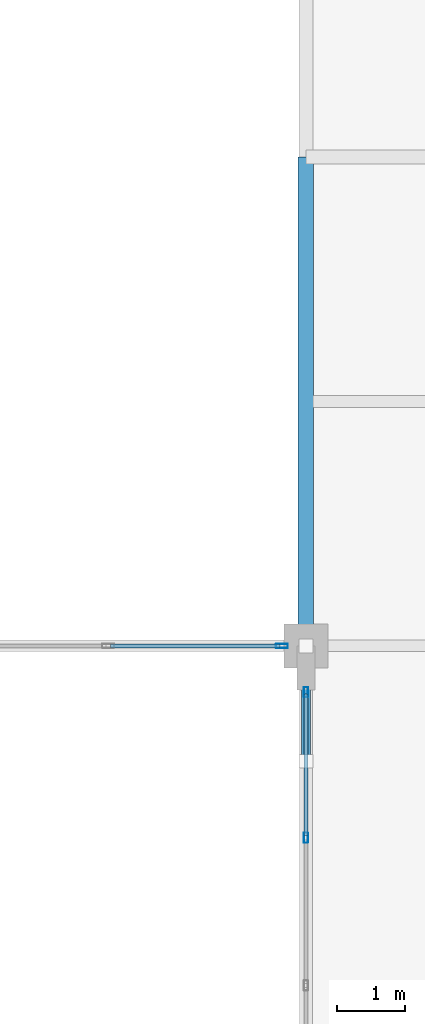
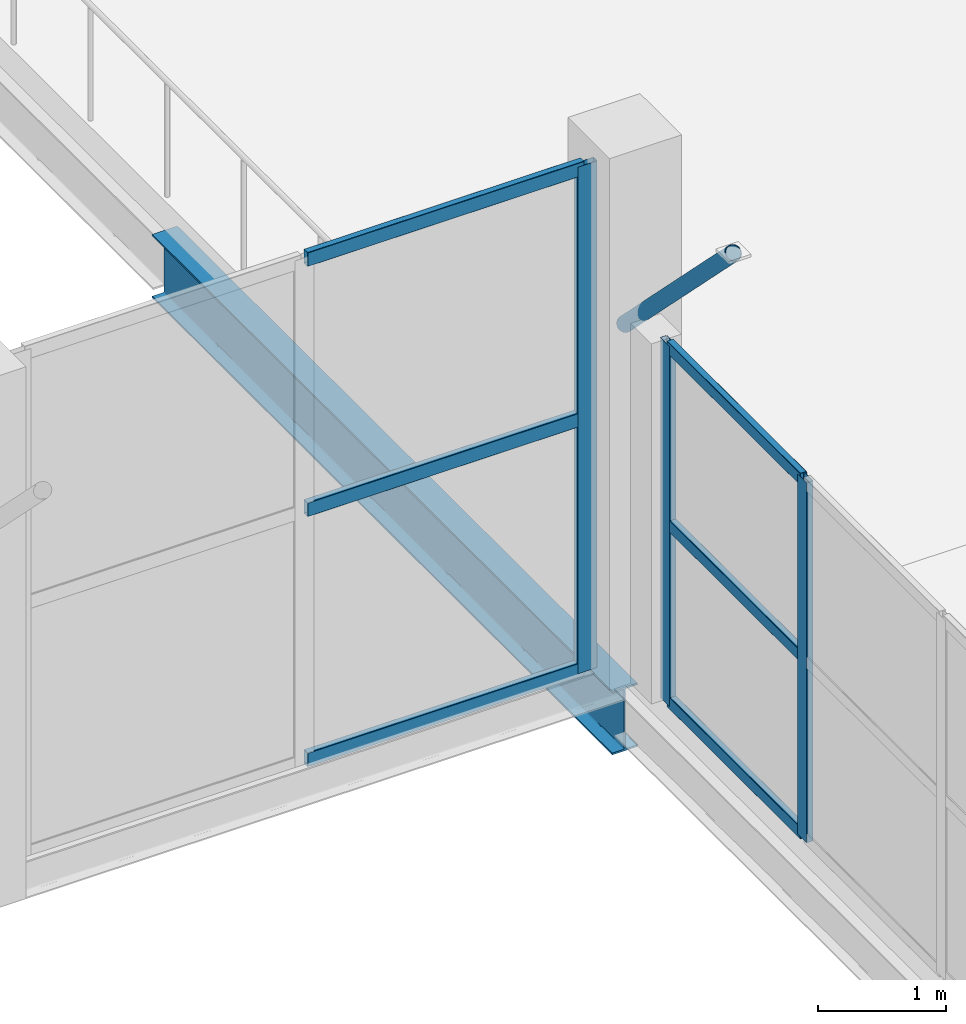
# One storey, part 30 of 127: 10 members, 1 beam, 2 elements without a shape of their own.
"""IFC4 building model written with IfcOpenShell, lengths in metres."""

import ifcopenshell
import ifcopenshell.guid

model = None  # the IFC model being written
_history = None  # IfcOwnerHistory: only IFC2X3 demands one
_inside = {}  # id of a spatial element -> (the spatial element, [elements in it])
_under = {}  # id of a project, library or spatial element -> (it, [spatial elements below it])
_declared = {}  # id of a project -> (the project, [libraries it declares])
_typed = {}  # id of a type object -> (the type object, [elements of that type])
_made_of = {}  # id of a material, layer set ... -> (it, [elements and type objects made of it])


def new_model(schema):
    """Start an empty IFC model of exactly this schema.

    Asked for "IFC4X3", IfcOpenShell would pick the latest addendum, in which some entities
    have other attributes; the version numbers below select the first issue.
    IFC2X3 requires an IfcOwnerHistory on every rooted entity: one is made here for all.
    """
    global model, _history
    if schema == "IFC4X3":
        model = ifcopenshell.file(schema_version=(4, 3, 0, 0))
    else:
        model = ifcopenshell.file(schema=schema)
    _inside.clear()
    _under.clear()
    _declared.clear()
    _typed.clear()
    _made_of.clear()
    _history = None
    if model.schema == "IFC2X3":
        org = make("IfcOrganization", Name="unknown")
        user = make(
            "IfcPersonAndOrganization",
            ThePerson=make("IfcPerson", FamilyName="unknown"),
            TheOrganization=org,
        )
        app = make(
            "IfcApplication",
            ApplicationDeveloper=org,
            Version="unknown",
            ApplicationFullName="unknown",
            ApplicationIdentifier="unknown",
        )
        _history = make(
            "IfcOwnerHistory",
            OwningUser=user,
            OwningApplication=app,
            ChangeAction="ADDED",
            CreationDate=0,
        )
    return model


def make(cls, **values):
    """One entity of the class cls with the attributes given. An attribute that is None is left unset."""
    return model.create_entity(
        cls, **{name: value for name, value in values.items() if value is not None}
    )


def rooted(cls, **values):
    """An entity with a GlobalId (a new one), such as an element, a storey or a relation."""
    return make(cls, GlobalId=ifcopenshell.guid.new(), OwnerHistory=_history, **values)


def si_unit(unit_type, name, prefix=None):
    """IfcSIUnit, for example si_unit("LENGTHUNIT", "METRE", prefix="MILLI")."""
    return make("IfcSIUnit", UnitType=unit_type, Prefix=prefix, Name=name)


def assignment(units):
    """IfcUnitAssignment: the units of a project."""
    return None if units is None else make("IfcUnitAssignment", Units=units)


def point(xyz):
    """IfcCartesianPoint."""
    return None if xyz is None else make("IfcCartesianPoint", Coordinates=xyz)


def direction(xyz):
    """IfcDirection."""
    return None if xyz is None else make("IfcDirection", DirectionRatios=xyz)


def frame(location, z_axis=None, x_axis=None):
    """IfcAxis2Placement3D, a coordinate frame: its origin and axes. An axis left out is left unset."""
    return make(
        "IfcAxis2Placement3D",
        Location=point(location),
        Axis=direction(z_axis),
        RefDirection=direction(x_axis),
    )


def frame_2d(location, x_axis=None):
    """IfcAxis2Placement2D, a coordinate frame in the plane: its origin and x axis."""
    return make(
        "IfcAxis2Placement2D", Location=point(location), RefDirection=direction(x_axis)
    )


def origin():
    """The frame at (0, 0, 0) with its axes left unset."""
    return frame((0.0, 0.0, 0.0))


def origin_2d():
    """The frame at (0, 0) in the plane with its x axis left unset."""
    return frame_2d((0.0, 0.0))


def place(relative_to, where):
    """IfcLocalPlacement: puts the frame where relative to a parent placement (None: the world)."""
    return make(
        "IfcLocalPlacement", PlacementRelTo=relative_to, RelativePlacement=where
    )


def context(
    kind, dimensions, precision=None, world=None, true_north=None, identifier=None
):
    """IfcGeometricRepresentationContext, for example the 3D "Model" context."""
    return make(
        "IfcGeometricRepresentationContext",
        ContextIdentifier=identifier,
        ContextType=kind,
        CoordinateSpaceDimension=dimensions,
        Precision=precision,
        WorldCoordinateSystem=world,
        TrueNorth=true_north,
    )


def subcontext(parent, identifier, kind, view, scale=None):
    """IfcGeometricRepresentationSubContext, for example "Body" below "Model"."""
    return make(
        "IfcGeometricRepresentationSubContext",
        ContextIdentifier=identifier,
        ContextType=kind,
        ParentContext=parent,
        TargetScale=scale,
        TargetView=view,
    )


def project(units=None, contexts=None):
    """IfcProject with its units and contexts."""
    return rooted(
        "IfcProject",
        Name="project",
        RepresentationContexts=contexts,
        UnitsInContext=assignment(units),
    )


def spatial(cls, under=None, at=None, **own):
    """A site, building, storey or space (cls), placed at a placement, below another one or the project."""
    s = rooted(cls, ObjectPlacement=at, **own)
    if under is not None:
        _under.setdefault(under.id(), (under, []))[1].append(s)
    return s


def profile(cls, at=None, kind="AREA", **sizes):
    """A parametric profile (cls). Its sizes go by their IFC names, for example OverallWidth=200.0."""
    return make(cls, ProfileType=kind, Position=at, **sizes)


def hollow_rectangle(**sizes):
    """IfcRectangleHollowProfileDef."""
    return profile("IfcRectangleHollowProfileDef", **sizes)


def hollow_circle(**sizes):
    """IfcCircleHollowProfileDef."""
    return profile("IfcCircleHollowProfileDef", **sizes)


def i_section(**sizes):
    """IfcIShapeProfileDef."""
    return profile("IfcIShapeProfileDef", **sizes)


def extrude(swept, where, along, depth):
    """IfcExtrudedAreaSolid: the profile swept, set in the frame where, extruded along a direction by depth."""
    return make(
        "IfcExtrudedAreaSolid",
        SweptArea=swept,
        Position=where,
        ExtrudedDirection=direction(along),
        Depth=depth,
    )


def shape(context_of_items, identifier, shape_type, items):
    """IfcShapeRepresentation: the items that make up one representation, for example the "Body"."""
    return make(
        "IfcShapeRepresentation",
        ContextOfItems=context_of_items,
        RepresentationIdentifier=identifier,
        RepresentationType=shape_type,
        Items=items,
    )


def material(Name=None, Category=None):
    """IfcMaterial."""
    return make("IfcMaterial", Name=Name, Category=Category)


def layer(
    of_material, thickness, ventilated=None, Name=None, Category=None, Priority=None
):
    """IfcMaterialLayer: one layer of a wall or slab, of a material (None: an air gap)."""
    return make(
        "IfcMaterialLayer",
        Material=of_material,
        LayerThickness=thickness,
        IsVentilated=ventilated,
        Name=Name,
        Category=Category,
        Priority=Priority,
    )


def layer_set(layers, Name=None):
    """IfcMaterialLayerSet."""
    return make("IfcMaterialLayerSet", MaterialLayers=layers, LayerSetName=Name)


def material_profile(
    of_material, cross_section, Name=None, Category=None, Priority=None
):
    """IfcMaterialProfile: a cross section and its material."""
    return make(
        "IfcMaterialProfile",
        Name=Name,
        Material=of_material,
        Profile=cross_section,
        Priority=Priority,
        Category=Category,
    )


def profile_set(profiles, Name=None, composite=None):
    """IfcMaterialProfileSet."""
    return make(
        "IfcMaterialProfileSet",
        Name=Name,
        MaterialProfiles=profiles,
        CompositeProfile=composite,
    )


def made_of(thing, what):
    """Note that an element or type object is made of a material, layer set ...; save() writes the relation."""
    if what is not None:
        _made_of.setdefault(what.id(), (what, []))[1].append(thing)
    return thing


def type_object(cls, material=None, **own):
    """A type object (cls), such as IfcWallType, which elements share."""
    return made_of(rooted(cls, **own), material)


def element(
    cls,
    number,
    at=None,
    inside=None,
    cuts=None,
    type_object=None,
    material=None,
    context=None,
    identifier="Body",
    shape_type=None,
    held_by="IfcProductDefinitionShape",
    body=None,
    shapes=None,
    **own,
):
    """One element of the class cls, such as IfcWall. Its Tag is "e" and its number.

    at: its placement. inside: the storey or other place that contains it. cuts: it is an
    opening in that element (IfcRelVoidsElement). A single representation is given by context,
    identifier, shape_type and body (its items); several are given by shapes. held_by: the class
    of the entity that holds the representations. save() writes the other relations.
    """
    e = rooted(cls, Tag="e%d" % number, ObjectPlacement=at, **own)
    if body is not None:
        shapes = [shape(context, identifier, shape_type, body)]
    if shapes is not None:
        e.Representation = make(held_by, Representations=shapes)
    if inside is not None:
        _inside.setdefault(inside.id(), (inside, []))[1].append(e)
    if cuts is not None:
        rooted(
            "IfcRelVoidsElement", RelatingBuildingElement=cuts, RelatedOpeningElement=e
        )
    if type_object is not None:
        _typed.setdefault(type_object.id(), (type_object, []))[1].append(e)
    return made_of(e, material)


def aggregate(whole, parts):
    """IfcRelAggregates: a whole, such as a stair, and the parts it consists of."""
    return rooted("IfcRelAggregates", RelatingObject=whole, RelatedObjects=parts)


def save(model, path):
    """Write the relations noted so far, then the file.

    IfcRelAggregates (storeys below a building ...), IfcRelContainedInSpatialStructure (elements
    in a storey), IfcRelDefinesByType, IfcRelAssociatesMaterial and IfcRelDeclares: one each for
    every whole, place, type object, material and project.
    """
    for whole, parts in _under.values():
        aggregate(whole, parts)
    for where, things in _inside.values():
        rooted(
            "IfcRelContainedInSpatialStructure",
            RelatedElements=things,
            RelatingStructure=where,
        )
    for kind, things in _typed.values():
        rooted("IfcRelDefinesByType", RelatedObjects=things, RelatingType=kind)
    for what, things in _made_of.values():
        rooted("IfcRelAssociatesMaterial", RelatedObjects=things, RelatingMaterial=what)
    for by, libraries in _declared.values():
        rooted("IfcRelDeclares", RelatingContext=by, RelatedDefinitions=libraries)
    model.write(path)


model = new_model("IFC4")

# Units and contexts
model_context = context("Model", 3, precision=1e-05, world=origin(), true_north=direction((0.0, 1.0)))
body_context = subcontext(model_context, "Body", "Model", "MODEL_VIEW")
ifc_project = project(units=[si_unit("LENGTHUNIT", "METRE"), si_unit("AREAUNIT", "SQUARE_METRE"), si_unit("VOLUMEUNIT", "CUBIC_METRE"), si_unit("PLANEANGLEUNIT", "RADIAN"), si_unit("MASSUNIT", "GRAM", prefix="KILO")], contexts=[model_context])

# Site, building, storey
site_placement = place(None, origin())
site = spatial("IfcSite", under=ifc_project, at=site_placement, CompositionType="ELEMENT")
building_placement = place(site_placement, origin())
building = spatial("IfcBuilding", under=site, at=building_placement, Name="Dunvalen Ferry Terminal", CompositionType="ELEMENT")
storey_placement = place(building_placement, frame((0.0, 0.0, 5.760009765625)))
storey = spatial("IfcBuildingStorey", under=building, at=storey_placement, Name="L01", CompositionType="ELEMENT", Elevation=5.760009765625)

# Curtain wall, member
ifc_material_1 = material(Name="Anodised marine aluminium and solar-control glazing", Category="aluminium")
ifc_layer_1 = layer(ifc_material_1, 0.219970703125, Name="Anodised marine aluminium and solar-control glazing")
ifc_layer_set_1 = layer_set([ifc_layer_1], Name="Anodised marine aluminium and solar-control glazing")
curtain_wall_type_1 = type_object("IfcCurtainWallType", Name="ENV-CW-SYS-02", PredefinedType="NOTDEFINED", material=ifc_layer_set_1)
curtain_wall_1_placement = place(storey_placement, origin())
curtain_wall_1 = element("IfcCurtainWall", 1, at=curtain_wall_1_placement, inside=storey, type_object=curtain_wall_type_1, Name="L01 Curtain Wall CW-V1S-L01-07", PredefinedType="NOTDEFINED")
ifc_material_2 = material(Name="Anodised marine aluminium EN AW-6063 T6", Category="aluminium")
ifc_material_profile_1 = material_profile(ifc_material_2, hollow_rectangle(XDim=0.06005859375, YDim=0.179931640625, WallThickness=0.00341796875, InnerFilletRadius=0.00341796875, OuterFilletRadius=0.007080078125, at=origin_2d()), Name="Anodised marine aluminium EN AW-6063 T6")
ifc_profile_set_1 = profile_set([ifc_material_profile_1], Name="Anodised marine aluminium EN AW-6063 T6")
member_type_1 = type_object("IfcMemberType", Name="ENV-CW-MUL-2", PredefinedType="MULLION", material=ifc_profile_set_1)
member_1_placement = place(storey_placement, frame((77.64501953125, 50.39990234375, 0.02001953125), z_axis=(0.0, 0.0, 1.0), x_axis=(0.0, 1.0, 0.0)))
member_1 = element("IfcMember", 2, at=member_1_placement, type_object=member_type_1, Name="CW-02 mullion 3", PredefinedType="MULLION", context=body_context, shape_type="SweptSolid", body=[
    extrude(hollow_rectangle(XDim=0.06005859375, YDim=0.179931640625, WallThickness=0.00341796875, InnerFilletRadius=0.00341796875, OuterFilletRadius=0.007080078125, at=origin_2d()), origin(), (0.0, 0.0, 1.0), 4.840087890625),
])

# Curtain wall, members
ifc_layer_2 = layer(ifc_material_1, 0.159912109375, Name="Anodised marine aluminium and solar-control glazing")
ifc_layer_set_2 = layer_set([ifc_layer_2], Name="Anodised marine aluminium and solar-control glazing")
curtain_wall_type_2 = type_object("IfcCurtainWallType", Name="ENV-CW-SYS-10", PredefinedType="NOTDEFINED", material=ifc_layer_set_2)
curtain_wall_2_placement = place(storey_placement, origin())
curtain_wall_2 = element("IfcCurtainWall", 3, at=curtain_wall_2_placement, inside=storey, type_object=curtain_wall_type_2, Name="L01 Curtain Wall CW-LNK51-1", PredefinedType="NOTDEFINED")
ifc_material_profile_2 = material_profile(ifc_material_2, hollow_rectangle(XDim=0.06005859375, YDim=0.14990234375, WallThickness=0.00341796875, InnerFilletRadius=0.00341796875, OuterFilletRadius=0.007080078125, at=origin_2d()), Name="Anodised marine aluminium EN AW-6063 T6")
ifc_profile_set_2 = profile_set([ifc_material_profile_2], Name="Anodised marine aluminium EN AW-6063 T6")
member_type_2 = type_object("IfcMemberType", Name="ENV-CW-MUL-3", PredefinedType="MULLION", material=ifc_profile_set_2)
member_2_placement = place(storey_placement, frame((78.0, 47.574951171875, 0.0), z_axis=(0.0, 0.0, 1.0), x_axis=(-1.0, 0.0, 0.0)))
member_2 = element("IfcMember", 4, at=member_2_placement, type_object=member_type_2, Name="CW-10 mullion 4", PredefinedType="MULLION", context=body_context, shape_type="SweptSolid", body=[
    extrude(hollow_rectangle(XDim=0.06005859375, YDim=0.14990234375, WallThickness=0.00341796875, InnerFilletRadius=0.00341796875, OuterFilletRadius=0.007080078125, at=origin_2d()), origin(), (0.0, 0.0, 1.0), 3.43994140625),
])
member_3_placement = place(storey_placement, frame((78.0, 49.719970703125, 0.0), z_axis=(0.0, 0.0, 1.0), x_axis=(-1.0, 0.0, 0.0)))
member_3 = element("IfcMember", 5, at=member_3_placement, type_object=member_type_2, Name="CW-10 mullion 5", PredefinedType="MULLION", context=body_context, shape_type="SweptSolid", body=[
    extrude(hollow_rectangle(XDim=0.06005859375, YDim=0.14990234375, WallThickness=0.00341796875, InnerFilletRadius=0.00341796875, OuterFilletRadius=0.007080078125, at=origin_2d()), origin(), (0.0, 0.0, 1.0), 3.43994140625),
])

# Member
ifc_material_profile_3 = material_profile(ifc_material_2, hollow_rectangle(XDim=0.06005859375, YDim=0.135009765625, WallThickness=0.003173828125, InnerFilletRadius=0.003173828125, OuterFilletRadius=0.00634765625, at=origin_2d()), Name="Anodised marine aluminium EN AW-6063 T6")
ifc_profile_set_3 = profile_set([ifc_material_profile_3], Name="Anodised marine aluminium EN AW-6063 T6")
member_type_3 = type_object("IfcMemberType", Name="ENV-CW-TRN-2", PredefinedType="USERDEFINED", material=ifc_profile_set_3)
member_4_placement = place(storey_placement, frame((75.117431640625, 50.39990234375, 0.050048828125), z_axis=(1.0, 0.0, 0.0), x_axis=(0.0, 1.0, 0.0)))
member_4 = element("IfcMember", 6, at=member_4_placement, type_object=member_type_3, Name="CW-02 transom 2.1", ObjectType="TRANSOM", PredefinedType="USERDEFINED", context=body_context, shape_type="SweptSolid", body=[
    extrude(hollow_rectangle(XDim=0.06005859375, YDim=0.135009765625, WallThickness=0.003173828125, InnerFilletRadius=0.003173828125, OuterFilletRadius=0.00634765625, at=origin_2d()), origin(), (0.0, 0.0, 1.0), 2.49755859375),
])

member_5_placement = place(storey_placement, frame((75.117431640625, 50.39990234375, 2.43994140625), z_axis=(1.0, 0.0, 0.0), x_axis=(0.0, 1.0, 0.0)))
member_5 = element("IfcMember", 7, at=member_5_placement, type_object=member_type_3, Name="CW-02 transom 2.2", ObjectType="TRANSOM", PredefinedType="USERDEFINED", context=body_context, shape_type="SweptSolid", body=[
    extrude(hollow_rectangle(XDim=0.06005859375, YDim=0.135009765625, WallThickness=0.003173828125, InnerFilletRadius=0.003173828125, OuterFilletRadius=0.00634765625, at=origin_2d()), origin(), (0.0, 0.0, 1.0), 2.49755859375),
])

member_6_placement = place(storey_placement, frame((75.117431640625, 50.39990234375, 4.830078125), z_axis=(1.0, 0.0, 0.0), x_axis=(0.0, 1.0, 0.0)))
member_6 = element("IfcMember", 8, at=member_6_placement, type_object=member_type_3, Name="CW-02 transom 2.3", ObjectType="TRANSOM", PredefinedType="USERDEFINED", context=body_context, shape_type="SweptSolid", body=[
    extrude(hollow_rectangle(XDim=0.06005859375, YDim=0.135009765625, WallThickness=0.003173828125, InnerFilletRadius=0.003173828125, OuterFilletRadius=0.00634765625, at=origin_2d()), origin(), (0.0, 0.0, 1.0), 2.49755859375),
])

aggregate(curtain_wall_1, [member_1, member_4, member_5, member_6])

ifc_material_profile_4 = material_profile(ifc_material_2, hollow_rectangle(XDim=0.06005859375, YDim=0.114990234375, WallThickness=0.0029296875, InnerFilletRadius=0.0029296875, OuterFilletRadius=0.006103515625, at=origin_2d()), Name="Anodised marine aluminium EN AW-6063 T6")
ifc_profile_set_4 = profile_set([ifc_material_profile_4], Name="Anodised marine aluminium EN AW-6063 T6")
member_type_4 = type_object("IfcMemberType", Name="ENV-CW-TRN-3", PredefinedType="USERDEFINED", material=ifc_profile_set_4)
member_7_placement = place(storey_placement, frame((78.0, 47.60498046875, 0.030029296875), z_axis=(0.0, 1.0, 0.0), x_axis=(-1.0, 0.0, 0.0)))
member_7 = element("IfcMember", 9, at=member_7_placement, type_object=member_type_4, Name="CW-10 transom 4.1", ObjectType="TRANSOM", PredefinedType="USERDEFINED", context=body_context, shape_type="SweptSolid", body=[
    extrude(hollow_rectangle(XDim=0.06005859375, YDim=0.114990234375, WallThickness=0.0029296875, InnerFilletRadius=0.0029296875, OuterFilletRadius=0.006103515625, at=origin_2d()), origin(), (0.0, 0.0, 1.0), 2.0849609375),
])

member_8_placement = place(storey_placement, frame((78.0, 47.60498046875, 1.719970703125), z_axis=(0.0, 1.0, 0.0), x_axis=(-1.0, 0.0, 0.0)))
member_8 = element("IfcMember", 10, at=member_8_placement, type_object=member_type_4, Name="CW-10 transom 4.2", ObjectType="TRANSOM", PredefinedType="USERDEFINED", context=body_context, shape_type="SweptSolid", body=[
    extrude(hollow_rectangle(XDim=0.06005859375, YDim=0.114990234375, WallThickness=0.0029296875, InnerFilletRadius=0.0029296875, OuterFilletRadius=0.006103515625, at=origin_2d()), origin(), (0.0, 0.0, 1.0), 2.0849609375),
])

member_9_placement = place(storey_placement, frame((78.0, 47.60498046875, 3.409912109375), z_axis=(0.0, 1.0, 0.0), x_axis=(-1.0, 0.0, 0.0)))
member_9 = element("IfcMember", 11, at=member_9_placement, type_object=member_type_4, Name="CW-10 transom 4.3", ObjectType="TRANSOM", PredefinedType="USERDEFINED", context=body_context, shape_type="SweptSolid", body=[
    extrude(hollow_rectangle(XDim=0.06005859375, YDim=0.114990234375, WallThickness=0.0029296875, InnerFilletRadius=0.0029296875, OuterFilletRadius=0.006103515625, at=origin_2d()), origin(), (0.0, 0.0, 1.0), 2.0849609375),
])

aggregate(curtain_wall_2, [member_2, member_3, member_7, member_8, member_9])

# Beam
ifc_material_3 = material(Name="Steel S355", Category="steel")
ifc_material_profile_5 = material_profile(ifc_material_3, i_section(OverallWidth=0.228271484375, OverallDepth=0.607666015625, WebThickness=0.010986328125, FlangeThickness=0.017333984375, FilletRadius=0.0126953125, at=origin_2d()), Name="Steel S355")
ifc_profile_set_5 = profile_set([ifc_material_profile_5], Name="Steel S355")
beam_type = type_object("IfcBeamType", Name="STR-BM-UKB610", PredefinedType="BEAM", material=ifc_profile_set_5)
beam_placement = place(storey_placement, frame((78.0, 50.39990234375, -0.583740234375), z_axis=(0.0, 1.0, 0.0), x_axis=(-1.0, 0.0, 0.0)))
element("IfcBeam", 12, at=beam_placement, inside=storey, type_object=beam_type, Name="L01 V1M Primary Girder Y-122", PredefinedType="BEAM", context=body_context, shape_type="SweptSolid", body=[
    extrude(i_section(OverallWidth=0.228271484375, OverallDepth=0.607666015625, WebThickness=0.010986328125, FlangeThickness=0.017333984375, FilletRadius=0.0126953125, at=origin_2d()), origin(), (0.0, 0.0, 1.0), 7.2001953125),
])

# Member
ifc_material_profile_6 = material_profile(ifc_material_3, hollow_circle(Radius=0.06982421875, WallThickness=0.00634765625, at=origin_2d()), Name="Steel S355")
ifc_profile_set_6 = profile_set([ifc_material_profile_6], Name="Steel S355")
member_type_5 = type_object("IfcMemberType", Name="STR-MB-CHS139", PredefinedType="BRACE", material=ifc_profile_set_6)
member_10_placement = place(storey_placement, frame((78.0, 50.39990234375, 3.18994140625), z_axis=(0.0, -0.705028038092, 0.709179431106), x_axis=(1.0, 0.0, 0.0)))
element("IfcMember", 13, at=member_10_placement, inside=storey, type_object=member_type_5, Name="Departure Hall South Eave Knee Strut 12", PredefinedType="BRACE", context=body_context, shape_type="SweptSolid", body=[
    extrude(hollow_circle(Radius=0.06982421875, WallThickness=0.00634765625, at=origin_2d()), origin(), (0.0, 0.0, 1.0), 2.4111328125),
])

save(model, "model.ifc")
